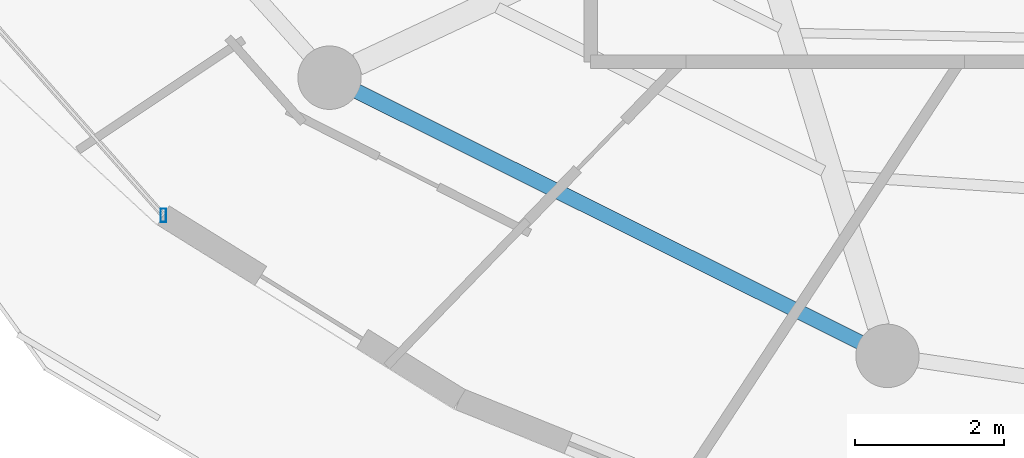
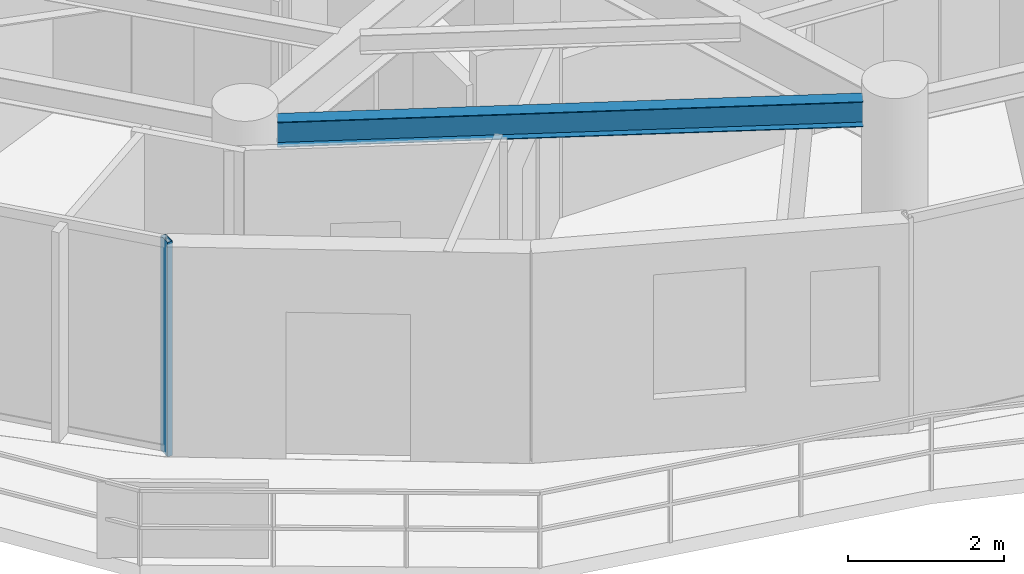
# One storey, part 2 of 31: 1 beam, 1 member, 1 element without a shape of its own.
"""IFC4 building model written with IfcOpenShell, lengths in metres."""

from ifc_helpers import new_model, si_unit, direction, frame, origin, origin_2d, place, context, subcontext, project, spatial, hollow_rectangle, i_section, extrude, material, material_profile, profile_set, type_object, element, aggregate, save


model = new_model("IFC4")

# Units and contexts
model_context = context("Model", 3, precision=1e-05, world=origin(), true_north=direction((0.0, 1.0)))
body_context = subcontext(model_context, "Body", "Model", "MODEL_VIEW")
ifc_project = project(units=[si_unit("LENGTHUNIT", "METRE"), si_unit("AREAUNIT", "SQUARE_METRE"), si_unit("VOLUMEUNIT", "CUBIC_METRE"), si_unit("PLANEANGLEUNIT", "RADIAN"), si_unit("MASSUNIT", "GRAM", prefix="KILO")], contexts=[model_context])

# Site, building, storey
site_placement = place(None, origin())
site = spatial("IfcSite", under=ifc_project, at=site_placement, CompositionType="ELEMENT")
building_placement = place(site_placement, origin())
building = spatial("IfcBuilding", under=site, at=building_placement, Name="Vorneva Point Tower", CompositionType="ELEMENT")
storey_placement = place(building_placement, frame((0.0, 0.0, 244.89990234375)))
storey = spatial("IfcBuildingStorey", under=building, at=storey_placement, Name="L66", CompositionType="ELEMENT", Elevation=244.89990234375)

# Beam
ifc_material_1 = material(Name="Steel S355", Category="steel")
ifc_material_profile_1 = material_profile(ifc_material_1, i_section(OverallWidth=0.198974609375, OverallDepth=0.39599609375, WebThickness=0.007080078125, FlangeThickness=0.010986328125, at=origin_2d()), Name="40B1")
ifc_profile_set_1 = profile_set([ifc_material_profile_1], Name="Steel S355")
beam_type = type_object("IfcBeamType", Name="BM-SPN-40B1", PredefinedType="SPANDREL", material=ifc_profile_set_1)
beam_placement = place(storey_placement, frame((22.068115234375, 13.65478515625, 3.092041015625), z_axis=(0.894932011528, -0.446202526599, 0.0), x_axis=(0.446202526599, 0.894932011528, 0.0)))
element("IfcBeam", 1, at=beam_placement, inside=storey, type_object=beam_type, Name="L66 Perimeter Spandrel Ring Beam 11", PredefinedType="SPANDREL", context=body_context, shape_type="SweptSolid", body=[
    extrude(i_section(OverallWidth=0.198974609375, OverallDepth=0.39599609375, WebThickness=0.007080078125, FlangeThickness=0.010986328125, at=origin_2d()), origin(), (0.0, 0.0, 1.0), 7.535888671875),
])

# Curtain wall, member
ifc_material_2 = material(Name="Pale anodised aluminium", Category="aluminium")
curtain_wall_type = type_object("IfcCurtainWallType", Name="CW-RES-SYS", PredefinedType="NOTDEFINED", material=ifc_material_2)
curtain_wall_placement = place(storey_placement, origin())
curtain_wall = element("IfcCurtainWall", 2, at=curtain_wall_placement, inside=storey, type_object=curtain_wall_type, Name="L66 Unitised Curtain Wall CW-L66-R03", PredefinedType="NOTDEFINED")
ifc_material_profile_2 = material_profile(ifc_material_2, hollow_rectangle(XDim=0.074951171875, YDim=0.179931640625, WallThickness=0.00390625, at=origin_2d()), Name="AL-MUL 180x75x4")
ifc_profile_set_2 = profile_set([ifc_material_profile_2], Name="Pale anodised aluminium")
member_type = type_object("IfcMemberType", Name="CW-MUL-180", PredefinedType="MULLION", material=ifc_profile_set_2)
member_placement = place(storey_placement, frame((19.473876953125, 11.9921875, -0.039794921875), z_axis=(0.0, 0.0, 1.0), x_axis=(1.0, 0.0, 0.0)))
member = element("IfcMember", 3, at=member_placement, type_object=member_type, Name="CW-L66-R03 Mullion 05", PredefinedType="MULLION", context=body_context, shape_type="SweptSolid", body=[
    extrude(hollow_rectangle(XDim=0.074951171875, YDim=0.179931640625, WallThickness=0.00390625, at=origin_2d()), origin(), (0.0, 0.0, 1.0), 3.35986328125),
])
aggregate(curtain_wall, [member])

save(model, "model.ifc")
